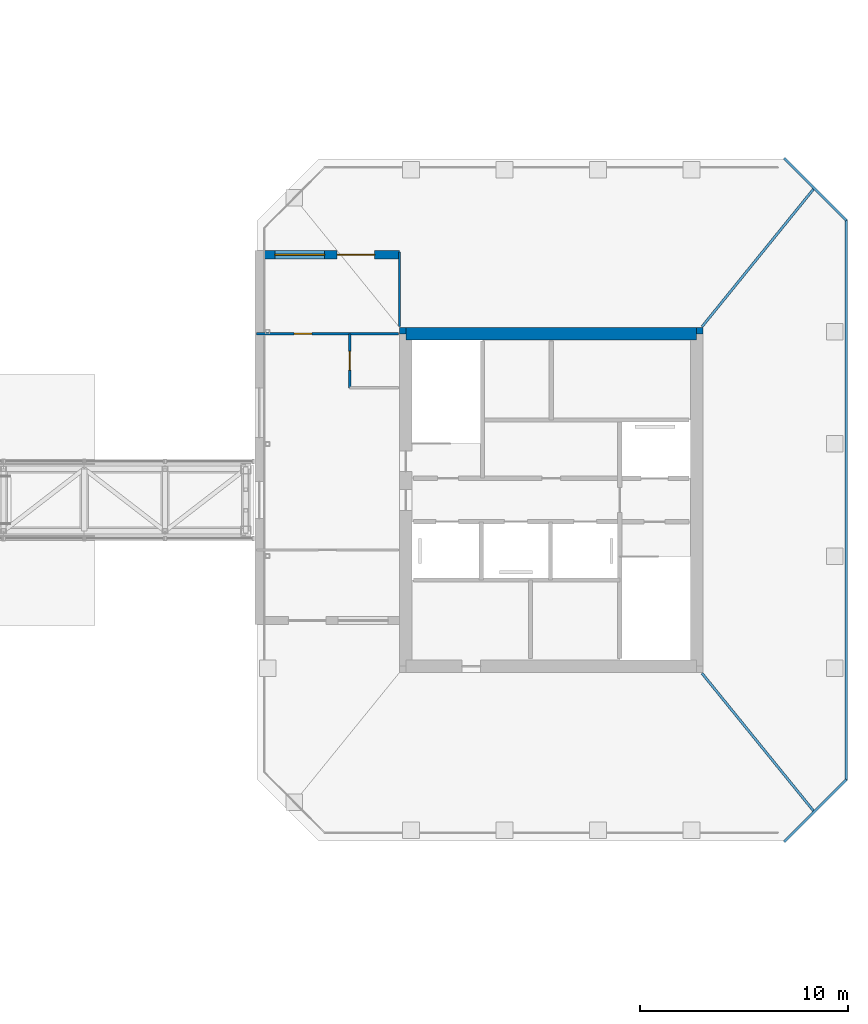
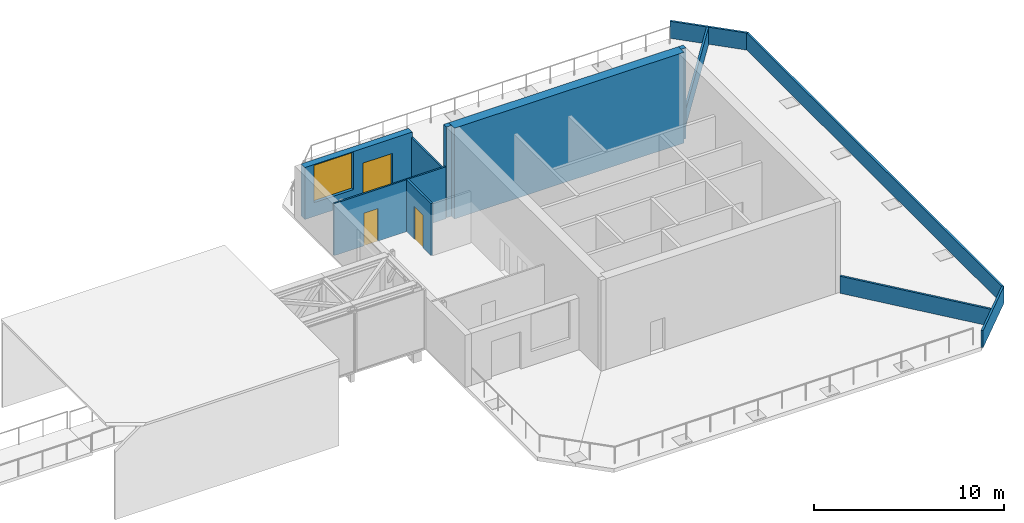
# One storey, part 16 of 23: 12 walls, 3 doors, 1 window, 4 openings.
"""IFC4 building model written with IfcOpenShell, lengths in metres."""

from ifc_helpers import new_model, si_unit, direction, frame, frame_2d, origin, place, context, subcontext, project, spatial, rectangle, extrude, material, layer, layer_set, constituent, constituent_set, type_object, element, fill, save


model = new_model("IFC4")

# Units and contexts
model_context = context("Model", 3, precision=1e-05, world=origin(), true_north=direction((0.0, 1.0)))
body_context = subcontext(model_context, "Body", "Model", "MODEL_VIEW")
ifc_project = project(units=[si_unit("LENGTHUNIT", "METRE"), si_unit("AREAUNIT", "SQUARE_METRE"), si_unit("VOLUMEUNIT", "CUBIC_METRE"), si_unit("PLANEANGLEUNIT", "RADIAN"), si_unit("MASSUNIT", "GRAM", prefix="KILO")], contexts=[model_context])

# Site, building, storey
site_placement = place(None, origin())
site = spatial("IfcSite", under=ifc_project, at=site_placement, CompositionType="ELEMENT")
building_placement = place(site_placement, origin())
building = spatial("IfcBuilding", under=site, at=building_placement, Name="Iwan Alto Co-Living Towers", CompositionType="ELEMENT")
storey_placement = place(building_placement, frame((0.0, 0.0, 129.5)))
storey = spatial("IfcBuildingStorey", under=building, at=storey_placement, Name="L35", CompositionType="ELEMENT", Elevation=129.5)

# Wall, opening, door
ifc_material_1 = material(Name="Gypsum board")
ifc_layer_1 = layer(ifc_material_1, 0.012451171875, Name="Board", Category="Finish")
ifc_material_2 = material(Name="Steel ASTM A1003 ST33H cold-formed studs", Category="steel")
ifc_layer_2 = layer(ifc_material_2, 0.074951171875, Name="Studs", Category="Framing")
ifc_layer_3 = layer(ifc_material_1, 0.012451171875, Name="Board", Category="Finish")
ifc_layer_set_1 = layer_set([ifc_layer_1, ifc_layer_2, ifc_layer_3], Name="PARTITION 100")
wall_type_1 = type_object("IfcWallType", Name="PARTITION 100", PredefinedType="PARTITIONING", material=ifc_layer_set_1)
wall_1_placement = place(storey_placement, frame((48.81005859375, 8.0, 0.0), z_axis=(0.0, 0.0, 1.0), x_axis=(1.0, 0.0, 0.0)))
wall_1 = element("IfcWall", 1, at=wall_1_placement, inside=storey, type_object=wall_type_1, Name="Partition L35", PredefinedType="PARTITIONING", context=body_context, shape_type="SweptSolid", body=[
    extrude(rectangle(XDim=6.829833984375, YDim=0.10009765625, at=frame_2d((3.4150390625, 0.0))), origin(), (0.0, 0.0, 1.0), 3.35009765625),
])
opening_1_placement = place(wall_1_placement, frame((1.820068359375, 0.0, 0.0)))
opening_1 = element("IfcOpeningElement", 2, at=opening_1_placement, cuts=wall_1, Name="Opening D2", PredefinedType="OPENING", context=body_context, shape_type="SweptSolid", body=[
    extrude(rectangle(XDim=0.85009765625, YDim=2.10009765625, at=frame_2d((0.425048828125, 1.050048828125))), frame((0.0, 0.06005859375, 0.0), z_axis=(0.0, -1.0, 0.0), x_axis=(1.0, 0.0, 0.0)), (0.0, 0.0, 1.0), 0.1201171875),
])
ifc_material_3 = material(Name="Timber leaf in steel frame", Category="steel")
door_type_1 = type_object("IfcDoorType", Name="ROOM DOOR 850X2100", OperationType="SINGLE_SWING_LEFT", PredefinedType="DOOR", material=ifc_material_3)
door_1_placement = place(opening_1_placement, frame((0.85009765625, 0.0, 0.0), z_axis=(0.0, 0.0, 1.0), x_axis=(-1.0, 0.0, 0.0)))
door_1 = element("IfcDoor", 3, at=door_1_placement, inside=storey, type_object=door_type_1, Name="Private dining room door L35", OperationType="SINGLE_SWING_LEFT", OverallHeight=2.10009765625, OverallWidth=0.85009765625, PredefinedType="DOOR", context=body_context, shape_type="SweptSolid", body=[
    extrude(rectangle(XDim=0.85009765625, YDim=2.10009765625, at=frame_2d((0.425048828125, 1.050048828125))), frame((0.0, 0.02490234375, 0.0), z_axis=(0.0, -1.0, 0.0), x_axis=(1.0, 0.0, 0.0)), (0.0, 0.0, 1.0), 0.050048828125),
])
fill(opening_1, door_1)

# Wall
wall_2_placement = place(storey_placement, frame((55.699951171875, 8.360107421875, 0.0), z_axis=(0.0, 0.0, 1.0), x_axis=(0.0, 1.0, 0.0)))
element("IfcWall", 4, at=wall_2_placement, inside=storey, type_object=wall_type_1, Name="Partition L35", PredefinedType="PARTITIONING", context=body_context, shape_type="SweptSolid", body=[
    extrude(rectangle(XDim=3.579833984375, YDim=0.10009765625, at=frame_2d((1.7900390625, 0.0))), origin(), (0.0, 0.0, 1.0), 3.0),
])

# Wall, openings, door, window
ifc_material_4 = material(Name="Glazed fired clay brick facing", Category="masonry")
ifc_layer_4 = layer(ifc_material_4, 0.10009765625, Name="Glazed brick facing", Category="Finish")
ifc_material_5 = material(Name="Concrete f'c 70 MPa", Category="concrete")
ifc_layer_5 = layer(ifc_material_5, 0.300048828125, Name="Reinforced concrete", Category="LoadBearing")
ifc_layer_set_2 = layer_set([ifc_layer_4, ifc_layer_5], Name="ROOF LOUNGE WALL 400")
wall_type_2 = type_object("IfcWallType", Name="ROOF LOUNGE WALL 400", PredefinedType="SOLIDWALL", material=ifc_layer_set_2)
wall_3_placement = place(storey_placement, frame((55.699951171875, 11.800048828125, 0.0), z_axis=(0.0, 0.0, 1.0), x_axis=(-1.0, 0.0, 0.0)))
wall_3 = element("IfcWall", 5, at=wall_3_placement, inside=storey, type_object=wall_type_2, Name="T2 roof lounge N wall", PredefinedType="SOLIDWALL", context=body_context, shape_type="SweptSolid", body=[
    extrude(rectangle(XDim=6.550048828125, YDim=0.39990234375, at=frame_2d((3.27490234375, 0.0))), origin(), (0.0, 0.0, 1.0), 3.35009765625),
])
opening_2_placement = place(wall_3_placement, frame((1.199951171875, 0.0, 0.0)))
opening_2 = element("IfcOpeningElement", 6, at=opening_2_placement, cuts=wall_3, Name="Opening DE7", PredefinedType="OPENING", context=body_context, shape_type="SweptSolid", body=[
    extrude(rectangle(XDim=1.800048828125, YDim=2.39990234375, at=frame_2d((0.89990234375, 1.199951171875))), frame((0.0, 0.2099609375, 0.0), z_axis=(0.0, -1.0, 0.0), x_axis=(1.0, 0.0, 0.0)), (0.0, 0.0, 1.0), 0.419921875),
])
opening_3_placement = place(wall_3_placement, frame((3.60009765625, 0.0, 0.89990234375)))
opening_3 = element("IfcOpeningElement", 7, at=opening_3_placement, cuts=wall_3, Name="Opening WN4", PredefinedType="OPENING", context=body_context, shape_type="SweptSolid", body=[
    extrude(rectangle(XDim=2.39990234375, YDim=2.39990234375, at=frame_2d((1.199951171875, 1.199951171875))), frame((0.0, 0.2099609375, 0.0), z_axis=(0.0, -1.0, 0.0), x_axis=(1.0, 0.0, 0.0)), (0.0, 0.0, 1.0), 0.419921875),
])
ifc_material_6 = material(Name="Bronze aluminium glazed door", Category="aluminium")
door_type_2 = type_object("IfcDoorType", Name="TERRACE DOOR 1800X2400", OperationType="DOUBLE_DOOR_SINGLE_SWING", PredefinedType="DOOR", material=ifc_material_6)
door_2_placement = place(opening_2_placement, frame((1.800048828125, 0.0, 0.0), z_axis=(0.0, 0.0, 1.0), x_axis=(-1.0, 0.0, 0.0)))
door_2 = element("IfcDoor", 8, at=door_2_placement, inside=storey, type_object=door_type_2, Name="Roof terrace door N", OperationType="DOUBLE_DOOR_SINGLE_SWING", OverallHeight=2.39990234375, OverallWidth=1.800048828125, PredefinedType="DOOR", context=body_context, shape_type="SweptSolid", body=[
    extrude(rectangle(XDim=1.800048828125, YDim=2.39990234375, at=frame_2d((0.89990234375, 1.199951171875))), frame((0.0, 0.02490234375, 0.0), z_axis=(0.0, -1.0, 0.0), x_axis=(1.0, 0.0, 0.0)), (0.0, 0.0, 1.0), 0.050048828125),
])
fill(opening_2, door_2)
ifc_material_7 = material(Name="Bronze aluminium window frame", Category="aluminium")
window_type = type_object("IfcWindowType", Name="WN4 ROOF LOUNGE WINDOW 2400X2400", PartitioningType="SINGLE_PANEL", PredefinedType="WINDOW", material=ifc_material_7)
window_placement = place(opening_3_placement, origin())
window = element("IfcWindow", 9, at=window_placement, inside=storey, type_object=window_type, Name="Roof lounge window", OverallHeight=2.39990234375, OverallWidth=2.39990234375, PartitioningType="SINGLE_PANEL", PredefinedType="WINDOW", context=body_context, shape_type="SweptSolid", body=[
    extrude(rectangle(XDim=2.39990234375, YDim=2.39990234375, at=frame_2d((1.199951171875, 1.199951171875))), frame((0.0, 0.030029296875, 0.0), z_axis=(0.0, -1.0, 0.0), x_axis=(1.0, 0.0, 0.0)), (0.0, 0.0, 1.0), 0.06005859375),
])
fill(opening_3, window)

# Walls
ifc_material_8 = material(Name="Concrete f'c 30 MPa", Category="concrete")
ifc_constituent_1 = constituent(ifc_material_8, Name="Upstand", Category="LoadBearing")
ifc_material_9 = material(Name="Aluminium 6063-T6 bronze anodised", Category="aluminium")
ifc_constituent_2 = constituent(ifc_material_9, Name="Coping", Category="Finish")
ifc_constituent_set = constituent_set(constituents=[ifc_constituent_1, ifc_constituent_2], Name="ROOF PARAPET 120")
wall_type_3 = type_object("IfcWallType", Name="ROOF PARAPET 120", PredefinedType="PARAPET", material=ifc_constituent_set)
wall_4_placement = place(storey_placement, frame((74.20751953125, -16.45751953125, 0.0), z_axis=(0.0, 0.0, 1.0), x_axis=(0.707106781187, 0.707106781187, 0.0)))
element("IfcWall", 10, at=wall_4_placement, inside=storey, type_object=wall_type_3, Name="Roof parapet L35", PredefinedType="PARAPET", context=body_context, shape_type="SweptSolid", body=[
    extrude(rectangle(XDim=4.24267578125, YDim=0.1201171875, at=frame_2d((2.121337890625, 0.0))), origin(), (0.0, 0.0, 1.0), 1.10009765625),
])
wall_5_placement = place(storey_placement, frame((77.18994140625, -13.5, 0.0), z_axis=(0.0, 0.0, 1.0), x_axis=(0.0, 1.0, 0.0)))
element("IfcWall", 11, at=wall_5_placement, inside=storey, type_object=wall_type_3, Name="Roof parapet L35", PredefinedType="PARAPET", context=body_context, shape_type="SweptSolid", body=[
    extrude(rectangle(XDim=27.0, YDim=0.1201171875, at=frame_2d((13.5, 0.0))), origin(), (0.0, 0.0, 1.0), 1.10009765625),
])
wall_6_placement = place(storey_placement, frame((77.20751953125, 13.45751953125, 0.0), z_axis=(0.0, 0.0, 1.0), x_axis=(-0.707106781187, 0.707106781187, 0.0)))
element("IfcWall", 12, at=wall_6_placement, inside=storey, type_object=wall_type_3, Name="Roof parapet L35", PredefinedType="PARAPET", context=body_context, shape_type="SweptSolid", body=[
    extrude(rectangle(XDim=4.24267578125, YDim=0.1201171875, at=frame_2d((2.121337890625, 0.0))), origin(), (0.0, 0.0, 1.0), 1.10009765625),
])
for number, where, z_axis, x_axis, name in (
    (13, (75.62255859375, -14.960205078125, 0.0), (0.0, 0.0, 1.0), (-0.629780477426, 0.77677316525, 0.0), "Roof parapet L35"),
    (14, (70.25341796875, 8.337890625, 0.0), (0.0, 0.0, 1.0), (0.629780477426, 0.77677316525, 0.0), "Roof parapet L35"),
):
    element("IfcWall", number, at=place(storey_placement, frame(where, z_axis=z_axis, x_axis=x_axis)), inside=storey, type_object=wall_type_3, Name=name, PredefinedType="PARAPET", context=body_context, shape_type="SweptSolid", body=[
        extrude(rectangle(XDim=8.525390625, YDim=0.1201171875, at=frame_2d((4.2626953125, 0.0))), origin(), (0.0, 0.0, 1.0), 1.10009765625),
    ])
ifc_material_10 = material(Name="Concrete f'c 70 MPa", Category="concrete")
ifc_layer_6 = layer(ifc_material_10, 0.300048828125)
ifc_layer_set_3 = layer_set([ifc_layer_6], Name="T2 CORE CORNER FILL 300")
wall_type_4 = type_object("IfcWallType", Name="T2 CORE CORNER FILL 300", PredefinedType="SOLIDWALL", material=ifc_layer_set_3)
for number, where, z_axis, x_axis, name in (
    (15, (70.0, 8.14990234375, 0.0), (0.0, 0.0, 1.0), (1.0, 0.0, 0.0), "T2 core corner NE L35"),
    (16, (55.699951171875, 8.14990234375, 0.0), (0.0, 0.0, 1.0), (1.0, 0.0, 0.0), "T2 core corner NW L35"),
):
    element("IfcWall", number, at=place(storey_placement, frame(where, z_axis=z_axis, x_axis=x_axis)), inside=storey, type_object=wall_type_4, Name=name, PredefinedType="SOLIDWALL", context=body_context, shape_type="SweptSolid", body=[
        extrude(rectangle(XDim=0.300048828125, YDim=0.300048828125, at=frame_2d((0.14990234375, 0.0))), origin(), (0.0, 0.0, 1.0), 5.85009765625),
    ])
ifc_material_11 = material(Name="Concrete f'c 70 MPa", Category="concrete")
ifc_layer_7 = layer(ifc_material_11, 0.60009765625)
ifc_layer_set_4 = layer_set([ifc_layer_7], Name="T2 CORE WALL 600")
wall_type_5 = type_object("IfcWallType", Name="T2 CORE WALL 600", PredefinedType="SHEAR", material=ifc_layer_set_4)
wall_7_placement = place(storey_placement, frame((70.0, 8.0, 0.0), z_axis=(0.0, 0.0, 1.0), x_axis=(-1.0, 0.0, 0.0)))
element("IfcWall", 17, at=wall_7_placement, inside=storey, type_object=wall_type_5, Name="T2 core wall N L35", PredefinedType="SHEAR", context=body_context, shape_type="SweptSolid", body=[
    extrude(rectangle(XDim=14.0, YDim=0.60009765625, at=frame_2d((7.0, 0.0))), origin(), (0.0, 0.0, 1.0), 5.85009765625),
])

# Wall, opening, door
ifc_material_12 = material(Name="Cement board")
ifc_layer_8 = layer(ifc_material_12, 0.012451171875, Name="Board", Category="Finish")
ifc_layer_9 = layer(ifc_material_2, 0.094970703125, Name="Studs", Category="Framing")
ifc_layer_10 = layer(ifc_material_12, 0.012451171875, Name="Board", Category="Finish")
ifc_layer_set_5 = layer_set([ifc_layer_8, ifc_layer_9, ifc_layer_10], Name="WET AREA PARTITION 120")
wall_type_6 = type_object("IfcWallType", Name="WET AREA PARTITION 120", PredefinedType="PARTITIONING", material=ifc_layer_set_5)
wall_8_placement = place(storey_placement, frame((53.300048828125, 5.39990234375, 0.0), z_axis=(0.0, 0.0, 1.0), x_axis=(0.0, 1.0, 0.0)))
wall_8 = element("IfcWall", 18, at=wall_8_placement, inside=storey, type_object=wall_type_6, Name="Partition L35", PredefinedType="PARTITIONING", context=body_context, shape_type="SweptSolid", body=[
    extrude(rectangle(XDim=2.60009765625, YDim=0.1201171875, at=frame_2d((1.300048828125, 0.0))), origin(), (0.0, 0.0, 1.0), 3.35009765625),
])
opening_4_placement = place(wall_8_placement, frame((0.85009765625, 0.0, 0.0)))
opening_4 = element("IfcOpeningElement", 19, at=opening_4_placement, cuts=wall_8, Name="Opening D4", PredefinedType="OPENING", context=body_context, shape_type="SweptSolid", body=[
    extrude(rectangle(XDim=0.89990234375, YDim=2.10009765625, at=frame_2d((0.449951171875, 1.050048828125))), frame((0.0, 0.070068359375, 0.0), z_axis=(0.0, -1.0, 0.0), x_axis=(1.0, 0.0, 0.0)), (0.0, 0.0, 1.0), 0.14013671875),
])
ifc_material_13 = material(Name="Timber leaf in steel frame", Category="steel")
door_type_3 = type_object("IfcDoorType", Name="WC DOOR 900X2100", OperationType="SINGLE_SWING_LEFT", PredefinedType="DOOR", material=ifc_material_13)
door_3_placement = place(opening_4_placement, origin())
door_3 = element("IfcDoor", 20, at=door_3_placement, inside=storey, type_object=door_type_3, Name="Accessible WC door L35", OperationType="SINGLE_SWING_RIGHT", OverallHeight=2.10009765625, OverallWidth=0.89990234375, PredefinedType="DOOR", context=body_context, shape_type="SweptSolid", body=[
    extrude(rectangle(XDim=0.89990234375, YDim=2.10009765625, at=frame_2d((0.449951171875, 1.050048828125))), frame((0.0, 0.02490234375, 0.0), z_axis=(0.0, -1.0, 0.0), x_axis=(1.0, 0.0, 0.0)), (0.0, 0.0, 1.0), 0.050048828125),
])
fill(opening_4, door_3)

save(model, "model.ifc")
